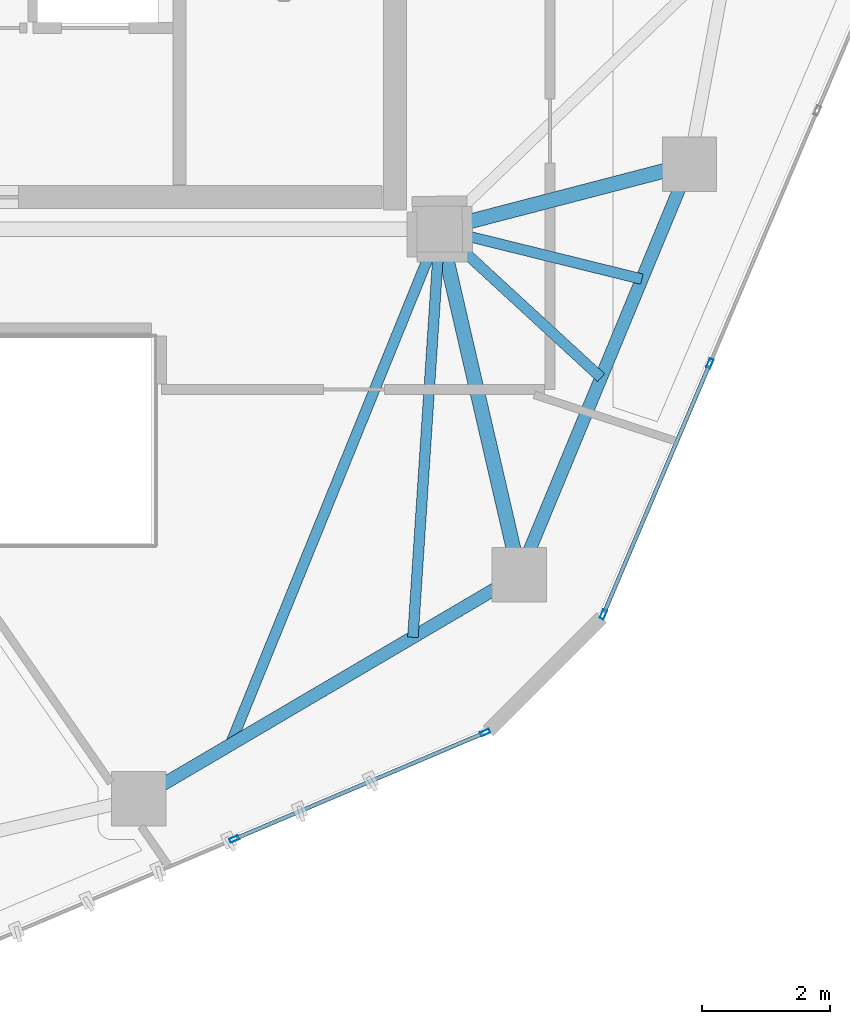
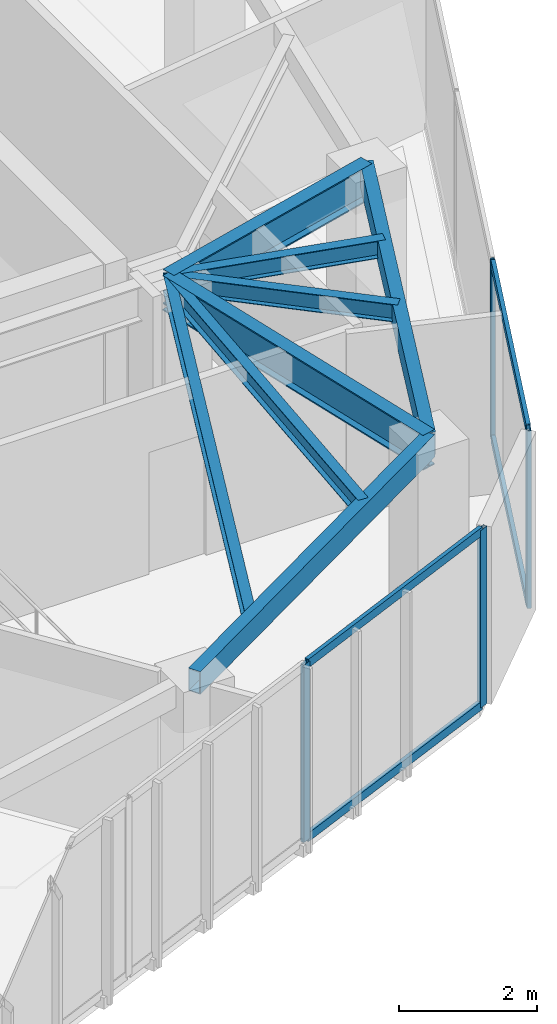
# One storey, part 6 of 20: 8 beams, 8 members, 2 elements without a shape of their own.
"""IFC4 building model written with IfcOpenShell, lengths in metres."""

from ifc_helpers import new_model, si_unit, direction, frame, origin, origin_2d, place, context, subcontext, project, spatial, hollow_rectangle, i_section, extrude, source, transform, mapped, material, layer, layer_set, material_profile, profile_set, type_object, type_shapes, element, aggregate, save


model = new_model("IFC4")

# Units and contexts
model_context = context("Model", 3, precision=1e-05, world=origin(), true_north=direction((0.0, 1.0)))
body_context = subcontext(model_context, "Body", "Model", "MODEL_VIEW")
ifc_project = project(units=[si_unit("LENGTHUNIT", "METRE"), si_unit("AREAUNIT", "SQUARE_METRE"), si_unit("VOLUMEUNIT", "CUBIC_METRE"), si_unit("PLANEANGLEUNIT", "RADIAN"), si_unit("MASSUNIT", "GRAM", prefix="KILO")], contexts=[model_context])

# Site, building, storey
site_placement = place(None, origin())
site = spatial("IfcSite", under=ifc_project, at=site_placement, CompositionType="ELEMENT")
building_placement = place(site_placement, origin())
building = spatial("IfcBuilding", under=site, at=building_placement, Name="Talar Marvaseh", CompositionType="ELEMENT")
storey_placement = place(building_placement, frame((0.0, 0.0, 274.800048828125)))
storey = spatial("IfcBuildingStorey", under=building, at=storey_placement, Name="L73", CompositionType="ELEMENT", Elevation=274.800048828125)

# Beams
ifc_material_1 = material(Name="Steel S355", Category="steel")
ifc_material_profile_1 = material_profile(ifc_material_1, hollow_rectangle(XDim=0.199951171875, YDim=0.39990234375, WallThickness=0.013916015625, at=origin_2d()), Name="RHS400x200x14")
ifc_profile_set_1 = profile_set([ifc_material_profile_1], Name="Steel S355")
beam_type_1 = type_object("IfcBeamType", Name="Zone 3 Perimeter Spandrel Beam RHS400x200x14", PredefinedType="SPANDREL", material=ifc_profile_set_1)
beam_1_placement = place(storey_placement, frame((37.197021484375, 26.513916015625, 2.93994140625), z_axis=(-0.382798740112, -0.923831762048, 0.0), x_axis=(0.923831762048, -0.382798740112, 0.0)))
element("IfcBeam", 1, at=beam_1_placement, inside=storey, type_object=beam_type_1, Name="L73 Zone 3 Perimeter Spandrel Beam RHS400x200x14", PredefinedType="SPANDREL", context=body_context, shape_type="SweptSolid", body=[
    extrude(hollow_rectangle(XDim=0.199951171875, YDim=0.39990234375, WallThickness=0.013916015625, at=origin_2d()), origin(), (0.0, 0.0, 1.0), 6.9306640625),
])
beam_2_placement = place(storey_placement, frame((34.5439453125, 20.111083984375, 2.93994140625), z_axis=(-0.861894136287, -0.507088254482, 0.0), x_axis=(0.507088254482, -0.861894136287, 0.0)))
element("IfcBeam", 2, at=beam_2_placement, inside=storey, type_object=beam_type_1, Name="L73 Zone 3 Perimeter Spandrel Beam RHS400x200x14", PredefinedType="SPANDREL", context=body_context, shape_type="SweptSolid", body=[
    extrude(hollow_rectangle(XDim=0.199951171875, YDim=0.39990234375, WallThickness=0.013916015625, at=origin_2d()), origin(), (0.0, 0.0, 1.0), 6.890625),
])
ifc_material_profile_2 = material_profile(ifc_material_1, i_section(OverallWidth=0.166015625, OverallDepth=0.31298828125, WebThickness=0.006591796875, FlangeThickness=0.01123046875, at=origin_2d()), Name="W310x45")
ifc_profile_set_2 = profile_set([ifc_material_profile_2], Name="Steel S355")
beam_type_2 = type_object("IfcBeamType", Name="Zone 3 Secondary Floor Joist W310x45", PredefinedType="JOIST", material=ifc_profile_set_2)
beam_3_placement = place(storey_placement, frame((36.4541015625, 24.72119140625, 2.9833984375), z_axis=(-0.970841284349, 0.239723174942, 0.0), x_axis=(-0.239723174942, -0.970841284349, 0.0)))
element("IfcBeam", 3, at=beam_3_placement, inside=storey, type_object=beam_type_2, Name="L73 Zone 3 Secondary Floor Joist W310x45", PredefinedType="JOIST", context=body_context, shape_type="SweptSolid", body=[
    extrude(i_section(OverallWidth=0.166015625, OverallDepth=0.31298828125, WebThickness=0.006591796875, FlangeThickness=0.01123046875, at=origin_2d()), origin(), (0.0, 0.0, 1.0), 3.248779296875),
])
beam_4_placement = place(storey_placement, frame((35.8173828125, 23.184326171875, 2.9833984375), z_axis=(-0.735970843201, 0.677013233223, 0.0), x_axis=(-0.677013233223, -0.735970843201, 0.0)))
element("IfcBeam", 4, at=beam_4_placement, inside=storey, type_object=beam_type_2, Name="L73 Zone 3 Secondary Floor Joist W310x45", PredefinedType="JOIST", context=body_context, shape_type="SweptSolid", body=[
    extrude(i_section(OverallWidth=0.166015625, OverallDepth=0.31298828125, WebThickness=0.006591796875, FlangeThickness=0.01123046875, at=origin_2d()), origin(), (0.0, 0.0, 1.0), 3.42041015625),
])
beam_5_placement = place(storey_placement, frame((32.881103515625, 19.1328125, 2.9833984375), z_axis=(0.065655577597, 0.997842344827, 0.0), x_axis=(-0.997842344827, 0.065655577597, 0.0)))
element("IfcBeam", 5, at=beam_5_placement, inside=storey, type_object=beam_type_2, Name="L73 Zone 3 Secondary Floor Joist W310x45", PredefinedType="JOIST", context=body_context, shape_type="SweptSolid", body=[
    extrude(i_section(OverallWidth=0.166015625, OverallDepth=0.31298828125, WebThickness=0.006591796875, FlangeThickness=0.01123046875, at=origin_2d()), origin(), (0.0, 0.0, 1.0), 6.380859375),
])
beam_6_placement = place(storey_placement, frame((30.030517578125, 17.45556640625, 2.9833984375), z_axis=(0.37652334678, 0.92640712936, 0.0), x_axis=(-0.92640712936, 0.37652334678, 0.0)))
element("IfcBeam", 6, at=beam_6_placement, inside=storey, type_object=beam_type_2, Name="L73 Zone 3 Secondary Floor Joist W310x45", PredefinedType="JOIST", context=body_context, shape_type="SweptSolid", body=[
    extrude(i_section(OverallWidth=0.166015625, OverallDepth=0.31298828125, WebThickness=0.006591796875, FlangeThickness=0.01123046875, at=origin_2d()), origin(), (0.0, 0.0, 1.0), 8.68359375),
])
ifc_material_profile_3 = material_profile(ifc_material_1, i_section(OverallWidth=0.22998046875, OverallDepth=0.616943359375, WebThickness=0.01318359375, FlangeThickness=0.022216796875, at=origin_2d()), Name="W610x140")
ifc_profile_set_3 = profile_set([ifc_material_profile_3], Name="Steel S355")
beam_type_3 = type_object("IfcBeamType", Name="Zone 4 Radial Floor Girder W610x140", PredefinedType="BEAM", material=ifc_profile_set_3)
beam_7_placement = place(storey_placement, frame((37.197021484375, 26.513916015625, 2.83154296875), z_axis=(-0.967779967746, -0.251797406719, 0.0), x_axis=(0.251797406719, -0.967779967746, 0.0)))
element("IfcBeam", 7, at=beam_7_placement, inside=storey, type_object=beam_type_3, Name="L73 Zone 4 Radial Floor Girder W610x140", PredefinedType="BEAM", context=body_context, shape_type="SweptSolid", body=[
    extrude(i_section(OverallWidth=0.22998046875, OverallDepth=0.616943359375, WebThickness=0.01318359375, FlangeThickness=0.022216796875, at=origin_2d()), origin(), (0.0, 0.0, 1.0), 4.026611328125),
])
beam_8_placement = place(storey_placement, frame((34.5439453125, 20.111083984375, 2.83154296875), z_axis=(-0.22491108979, 0.974379290466, 0.0), x_axis=(-0.974379290466, -0.22491108979, 0.0)))
element("IfcBeam", 8, at=beam_8_placement, inside=storey, type_object=beam_type_3, Name="L73 Zone 4 Radial Floor Girder W610x140", PredefinedType="BEAM", context=body_context, shape_type="SweptSolid", body=[
    extrude(i_section(OverallWidth=0.22998046875, OverallDepth=0.616943359375, WebThickness=0.01318359375, FlangeThickness=0.022216796875, at=origin_2d()), origin(), (0.0, 0.0, 1.0), 5.530517578125),
])

# Curtain wall, members
ifc_material_2 = material(Name="Architectural Aluminium", Category="aluminium")
ifc_layer = layer(ifc_material_2, 0.179931640625)
ifc_layer_set = layer_set([ifc_layer], Name="Architectural Aluminium")
curtain_wall_type = type_object("IfcCurtainWallType", Name="Unitised High-Wind Sky Curtain Wall Z4", PredefinedType="NOTDEFINED", material=ifc_layer_set)
curtain_wall_1_placement = place(storey_placement, origin())
curtain_wall_1 = element("IfcCurtainWall", 9, at=curtain_wall_1_placement, inside=storey, type_object=curtain_wall_type, Name="L73 Unitised High-Wind Sky Curtain Wall Z4", PredefinedType="NOTDEFINED")
ifc_material_profile_4 = material_profile(ifc_material_2, hollow_rectangle(XDim=0.06494140625, YDim=0.14990234375, WallThickness=0.00390625, at=origin_2d()), Name="RHS150x65x4")
ifc_profile_set_4 = profile_set([ifc_material_profile_4], Name="Architectural Aluminium")
member_type_1 = type_object("IfcMemberType", Name="Unitised Curtain Wall Slim Mullion RHS150x65x4", PredefinedType="MULLION", material=ifc_profile_set_4)
shared_shape_1 = source(origin(), body_context, "Body", "SweptSolid", [
    extrude(hollow_rectangle(XDim=0.06494140625, YDim=0.14990234375, WallThickness=0.00390625, at=origin_2d()), origin(), (0.0, 0.0, 1.0), 3.139892578125),
])
type_shapes(member_type_1, [shared_shape_1])
member_1_placement = place(storey_placement, frame((37.515625, 23.40625, 0.0), z_axis=(0.0, 0.0, 1.0), x_axis=(0.920444783681, -0.39087261377, 0.0)))
member_1 = element("IfcMember", 10, at=member_1_placement, type_object=member_type_1, Name="CW-Z4 mullion 4", PredefinedType="MULLION", context=body_context, shape_type="MappedRepresentation", body=[
    mapped(shared_shape_1, transform((0.0, 0.0, 0.0), x_axis=(1.0, 0.0, 0.0), y_axis=(0.0, 1.0, 0.0), z_axis=(0.0, 0.0, 1.0), scale=1.0)),
])
member_2_placement = place(storey_placement, frame((35.85302734375, 19.49072265625, 0.0), z_axis=(0.0, 0.0, 1.0), x_axis=(0.920444783681, -0.39087261377, 0.0)))
member_2 = element("IfcMember", 11, at=member_2_placement, type_object=member_type_1, Name="CW-Z4 mullion 5", PredefinedType="MULLION", context=body_context, shape_type="MappedRepresentation", body=[
    mapped(shared_shape_1, transform((0.0, 0.0, 0.0), x_axis=(1.0, 0.0, 0.0), y_axis=(0.0, 1.0, 0.0), z_axis=(0.0, 0.0, 1.0), scale=1.0)),
])

curtain_wall_2_placement = place(storey_placement, origin())
curtain_wall_2 = element("IfcCurtainWall", 12, at=curtain_wall_2_placement, inside=storey, type_object=curtain_wall_type, Name="L73 Unitised High-Wind Sky Curtain Wall Z4", PredefinedType="NOTDEFINED")
member_3_placement = place(storey_placement, frame((34.00927734375, 17.64697265625, 0.0), z_axis=(0.0, 0.0, 1.0), x_axis=(0.39087261377, -0.920444783681, 0.0)))
member_3 = element("IfcMember", 13, at=member_3_placement, type_object=member_type_1, Name="CW-Z4 mullion 1", PredefinedType="MULLION", context=body_context, shape_type="MappedRepresentation", body=[
    mapped(shared_shape_1, transform((0.0, 0.0, 0.0), x_axis=(1.0, 0.0, 0.0), y_axis=(0.0, 1.0, 0.0), z_axis=(0.0, 0.0, 1.0), scale=1.0)),
])
member_4_placement = place(storey_placement, frame((30.09375, 15.984375, 0.0), z_axis=(0.0, 0.0, 1.0), x_axis=(0.39087261377, -0.920444783681, 0.0)))
member_4 = element("IfcMember", 14, at=member_4_placement, type_object=member_type_1, Name="CW-Z4 mullion 2", PredefinedType="MULLION", context=body_context, shape_type="MappedRepresentation", body=[
    mapped(shared_shape_1, transform((0.0, 0.0, 0.0), x_axis=(1.0, 0.0, 0.0), y_axis=(0.0, 1.0, 0.0), z_axis=(0.0, 0.0, 1.0), scale=1.0)),
])

# Member
ifc_material_profile_5 = material_profile(ifc_material_2, hollow_rectangle(XDim=0.06494140625, YDim=0.14990234375, WallThickness=0.00390625, at=origin_2d()), Name="RHS150x65x4")
ifc_profile_set_5 = profile_set([ifc_material_profile_5], Name="Architectural Aluminium")
member_type_2 = type_object("IfcMemberType", Name="Unitised Curtain Wall Slim Transom RHS150x65x4", PredefinedType="USERDEFINED", material=ifc_profile_set_5)
shared_shape_2 = source(origin(), body_context, "Body", "SweptSolid", [
    extrude(hollow_rectangle(XDim=0.06494140625, YDim=0.14990234375, WallThickness=0.00390625, at=origin_2d()), origin(), (0.0, 0.0, 1.0), 4.188720703125),
])
type_shapes(member_type_2, [shared_shape_2])
member_5_placement = place(storey_placement, frame((37.5029296875, 23.376220703125, 0.032470703125), z_axis=(-0.390864158847, -0.92044837407, 0.0), x_axis=(0.92044837407, -0.390864158847, 0.0)))
member_5 = element("IfcMember", 15, at=member_5_placement, type_object=member_type_2, Name="CW-Z4 transom 4.1", ObjectType="TRANSOM", PredefinedType="USERDEFINED", context=body_context, shape_type="MappedRepresentation", body=[
    mapped(shared_shape_2, transform((0.0, 0.0, 0.0), x_axis=(1.0, 0.0, 0.0), y_axis=(0.0, 1.0, 0.0), z_axis=(0.0, 0.0, 1.0), scale=1.0)),
])

member_6_placement = place(storey_placement, frame((37.5029296875, 23.376220703125, 3.107421875), z_axis=(-0.390864158847, -0.92044837407, 0.0), x_axis=(0.92044837407, -0.390864158847, 0.0)))
member_6 = element("IfcMember", 16, at=member_6_placement, type_object=member_type_2, Name="CW-Z4 transom 4.2", ObjectType="TRANSOM", PredefinedType="USERDEFINED", context=body_context, shape_type="MappedRepresentation", body=[
    mapped(shared_shape_2, transform((0.0, 0.0, 0.0), x_axis=(1.0, 0.0, 0.0), y_axis=(0.0, 1.0, 0.0), z_axis=(0.0, 0.0, 1.0), scale=1.0)),
])

aggregate(curtain_wall_1, [member_1, member_2, member_5, member_6])

member_7_placement = place(storey_placement, frame((33.979248046875, 17.63427734375, 0.032470703125), z_axis=(-0.92044837407, -0.390864158847, 0.0), x_axis=(0.390864158847, -0.92044837407, 0.0)))
member_7 = element("IfcMember", 17, at=member_7_placement, type_object=member_type_2, Name="CW-Z4 transom 1.1", ObjectType="TRANSOM", PredefinedType="USERDEFINED", context=body_context, shape_type="MappedRepresentation", body=[
    mapped(shared_shape_2, transform((0.0, 0.0, 0.0), x_axis=(1.0, 0.0, 0.0), y_axis=(0.0, 1.0, 0.0), z_axis=(0.0, 0.0, 1.0), scale=1.0)),
])

member_8_placement = place(storey_placement, frame((33.979248046875, 17.63427734375, 3.107421875), z_axis=(-0.92044837407, -0.390864158847, 0.0), x_axis=(0.390864158847, -0.92044837407, 0.0)))
member_8 = element("IfcMember", 18, at=member_8_placement, type_object=member_type_2, Name="CW-Z4 transom 1.2", ObjectType="TRANSOM", PredefinedType="USERDEFINED", context=body_context, shape_type="MappedRepresentation", body=[
    mapped(shared_shape_2, transform((0.0, 0.0, 0.0), x_axis=(1.0, 0.0, 0.0), y_axis=(0.0, 1.0, 0.0), z_axis=(0.0, 0.0, 1.0), scale=1.0)),
])

aggregate(curtain_wall_2, [member_3, member_4, member_7, member_8])

save(model, "model.ifc")
